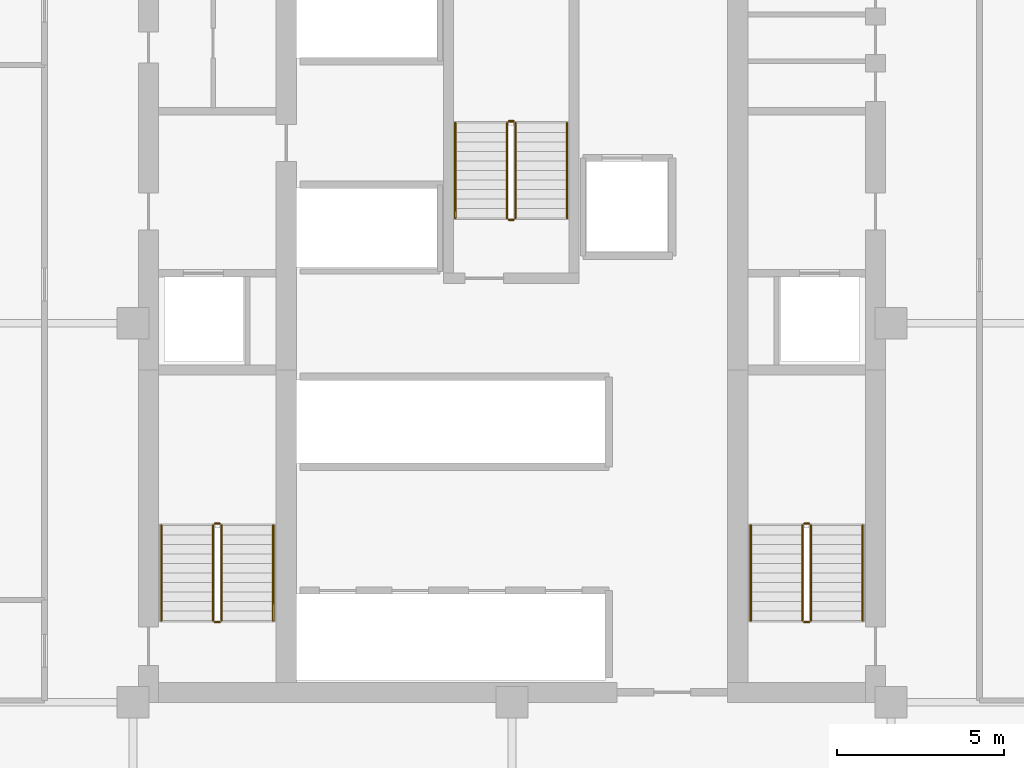
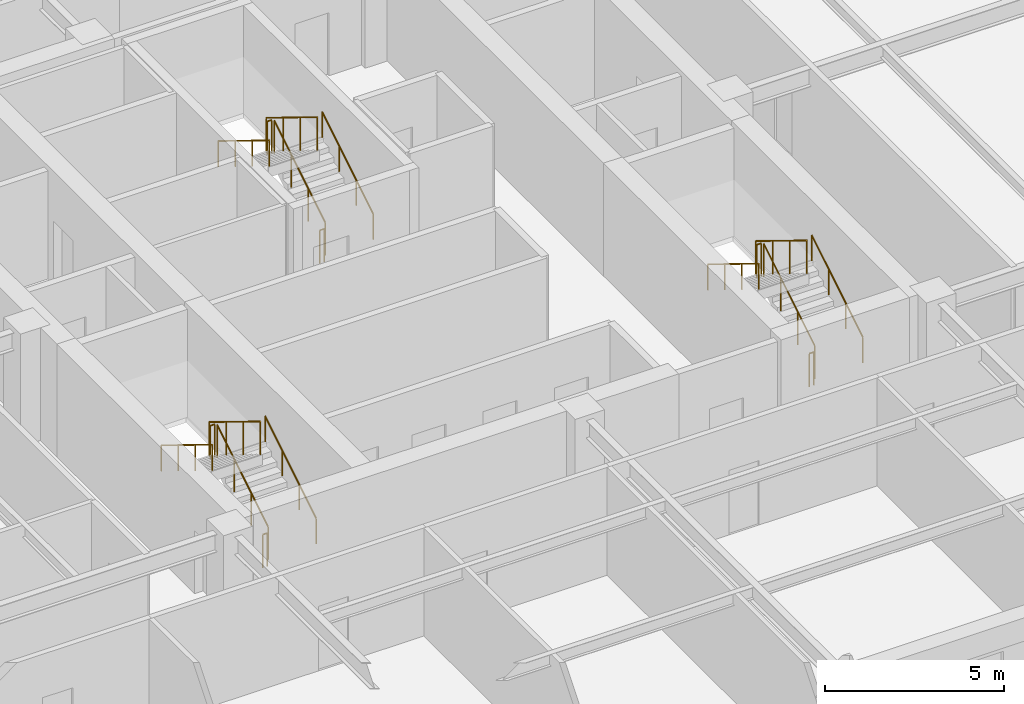
# One storey, part 6 of 6: 18 railings.
"""IFC4 building model written with IfcOpenShell, lengths in metres."""

from ifc_helpers import new_model, si_unit, direction, frame, origin, origin_2d, place, context, subcontext, project, spatial, circle, extrude, material, type_object, element, save


model = new_model("IFC4")

# Units and contexts
model_context = context("Model", 3, precision=1e-05, world=origin(), true_north=direction((0.0, 1.0)))
body_context = subcontext(model_context, "Body", "Model", "MODEL_VIEW")
ifc_project = project(units=[si_unit("LENGTHUNIT", "METRE"), si_unit("AREAUNIT", "SQUARE_METRE"), si_unit("VOLUMEUNIT", "CUBIC_METRE"), si_unit("PLANEANGLEUNIT", "RADIAN"), si_unit("MASSUNIT", "GRAM", prefix="KILO")], contexts=[model_context])

# Site, building, storey
site_placement = place(None, origin())
site = spatial("IfcSite", under=ifc_project, at=site_placement, CompositionType="ELEMENT")
building_placement = place(site_placement, origin())
building = spatial("IfcBuilding", under=site, at=building_placement, Name="Nhamokura Convention Tower", CompositionType="ELEMENT")
storey_placement = place(building_placement, frame((0.0, 0.0, 129.85009765625)))
storey = spatial("IfcBuildingStorey", under=building, at=storey_placement, Name="L31", CompositionType="ELEMENT", Elevation=129.85009765625)

# Railings
ifc_material_1 = material(Name="Anodised bronze stainless steel", Category="steel")
railing_type_1 = type_object("IfcRailingType", Name="StairWallHandrail_900", PredefinedType="HANDRAIL", material=ifc_material_1)
railing_1_placement = place(storey_placement, frame((24.85009765625, 23.10009765625, 0.1748046875)))
element("IfcRailing", 1, at=railing_1_placement, inside=storey, type_object=railing_type_1, Name="L31 ST-01 stair handrail 1", PredefinedType="HANDRAIL", context=body_context, shape_type="SweptSolid", body=[
    extrude(circle(Radius=0.02392578125, at=origin_2d()), frame((0.0, 0.0, 0.8759765625), z_axis=(0.0, 0.852159232446, 0.523282564737), x_axis=(-1.0, 0.0, 0.0)), (0.0, 0.0, 1.0), 3.34423828125),
    extrude(circle(Radius=0.02099609375, at=origin_2d()), origin(), (0.0, 0.0, 1.0), 0.851806640625),
    extrude(circle(Radius=0.02099609375, at=origin_2d()), frame((0.0, 0.949951171875, 0.583251953125)), (0.0, 0.0, 1.0), 0.851806640625),
    extrude(circle(Radius=0.02099609375, at=origin_2d()), frame((0.0, 1.89990234375, 1.166748046875)), (0.0, 0.0, 1.0), 0.851806640625),
    extrude(circle(Radius=0.02099609375, at=origin_2d()), frame((0.0, 2.849853515625, 1.75)), (0.0, 0.0, 1.0), 0.851806640625),
])
railing_2_placement = place(storey_placement, frame((21.5, 25.949951171875, 2.099853515625)))
element("IfcRailing", 2, at=railing_2_placement, inside=storey, type_object=railing_type_1, Name="L31 ST-01 stair handrail 2", PredefinedType="HANDRAIL", context=body_context, shape_type="SweptSolid", body=[
    extrude(circle(Radius=0.02392578125, at=origin_2d()), frame((0.0, 0.0, 0.8759765625), z_axis=(0.0, -0.852159232446, 0.523282564737), x_axis=(1.0, 0.0, 0.0)), (0.0, 0.0, 1.0), 3.34423828125),
    extrude(circle(Radius=0.02099609375, at=origin_2d()), origin(), (0.0, 0.0, 1.0), 0.851806640625),
    extrude(circle(Radius=0.02099609375, at=origin_2d()), frame((0.0, -0.949951171875, 0.583251953125)), (0.0, 0.0, 1.0), 0.851806640625),
    extrude(circle(Radius=0.02099609375, at=origin_2d()), frame((0.0, -1.89990234375, 1.166748046875)), (0.0, 0.0, 1.0), 0.851806640625),
    extrude(circle(Radius=0.02099609375, at=origin_2d()), frame((0.0, -2.849853515625, 1.75)), (0.0, 0.0, 1.0), 0.851806640625),
])
railing_3_placement = place(storey_placement, frame((42.5, 23.10009765625, 0.1748046875)))
element("IfcRailing", 3, at=railing_3_placement, inside=storey, type_object=railing_type_1, Name="L31 ST-02 stair handrail 1", PredefinedType="HANDRAIL", context=body_context, shape_type="SweptSolid", body=[
    extrude(circle(Radius=0.02392578125, at=origin_2d()), frame((0.0, 0.0, 0.8759765625), z_axis=(0.0, 0.852159232446, 0.523282564737), x_axis=(-1.0, 0.0, 0.0)), (0.0, 0.0, 1.0), 3.34423828125),
    extrude(circle(Radius=0.02099609375, at=origin_2d()), origin(), (0.0, 0.0, 1.0), 0.851806640625),
    extrude(circle(Radius=0.02099609375, at=origin_2d()), frame((0.0, 0.949951171875, 0.583251953125)), (0.0, 0.0, 1.0), 0.851806640625),
    extrude(circle(Radius=0.02099609375, at=origin_2d()), frame((0.0, 1.89990234375, 1.166748046875)), (0.0, 0.0, 1.0), 0.851806640625),
    extrude(circle(Radius=0.02099609375, at=origin_2d()), frame((0.0, 2.849853515625, 1.75)), (0.0, 0.0, 1.0), 0.851806640625),
])
railing_4_placement = place(storey_placement, frame((39.14990234375, 25.949951171875, 2.099853515625)))
element("IfcRailing", 4, at=railing_4_placement, inside=storey, type_object=railing_type_1, Name="L31 ST-02 stair handrail 2", PredefinedType="HANDRAIL", context=body_context, shape_type="SweptSolid", body=[
    extrude(circle(Radius=0.02392578125, at=origin_2d()), frame((0.0, 0.0, 0.8759765625), z_axis=(0.0, -0.852159232446, 0.523282564737), x_axis=(1.0, 0.0, 0.0)), (0.0, 0.0, 1.0), 3.34423828125),
    extrude(circle(Radius=0.02099609375, at=origin_2d()), origin(), (0.0, 0.0, 1.0), 0.851806640625),
    extrude(circle(Radius=0.02099609375, at=origin_2d()), frame((0.0, -0.949951171875, 0.583251953125)), (0.0, 0.0, 1.0), 0.851806640625),
    extrude(circle(Radius=0.02099609375, at=origin_2d()), frame((0.0, -1.89990234375, 1.166748046875)), (0.0, 0.0, 1.0), 0.851806640625),
    extrude(circle(Radius=0.02099609375, at=origin_2d()), frame((0.0, -2.849853515625, 1.75)), (0.0, 0.0, 1.0), 0.851806640625),
])
railing_5_placement = place(storey_placement, frame((33.64990234375, 35.14990234375, 0.1748046875)))
element("IfcRailing", 5, at=railing_5_placement, inside=storey, type_object=railing_type_1, Name="L31 ST-03 stair handrail 1", PredefinedType="HANDRAIL", context=body_context, shape_type="SweptSolid", body=[
    extrude(circle(Radius=0.02392578125, at=origin_2d()), frame((0.0, 0.0, 0.8759765625), z_axis=(0.0, 0.852179220489, 0.52325001306), x_axis=(-1.0, 0.0, 0.0)), (0.0, 0.0, 1.0), 3.344482421875),
    extrude(circle(Radius=0.02099609375, at=origin_2d()), origin(), (0.0, 0.0, 1.0), 0.851806640625),
    extrude(circle(Radius=0.02099609375, at=origin_2d()), frame((0.0, 0.949951171875, 0.583251953125)), (0.0, 0.0, 1.0), 0.851806640625),
    extrude(circle(Radius=0.02099609375, at=origin_2d()), frame((0.0, 1.900146484375, 1.166748046875)), (0.0, 0.0, 1.0), 0.851806640625),
    extrude(circle(Radius=0.02099609375, at=origin_2d()), frame((0.0, 2.85009765625, 1.75)), (0.0, 0.0, 1.0), 0.851806640625),
])
railing_6_placement = place(storey_placement, frame((30.300048828125, 38.0, 2.099853515625)))
element("IfcRailing", 6, at=railing_6_placement, inside=storey, type_object=railing_type_1, Name="L31 ST-03 stair handrail 2", PredefinedType="HANDRAIL", context=body_context, shape_type="SweptSolid", body=[
    extrude(circle(Radius=0.02392578125, at=origin_2d()), frame((0.0, 0.0, 0.8759765625), z_axis=(0.0, -0.852179220489, 0.52325001306), x_axis=(1.0, 0.0, 0.0)), (0.0, 0.0, 1.0), 3.344482421875),
    extrude(circle(Radius=0.02099609375, at=origin_2d()), origin(), (0.0, 0.0, 1.0), 0.851806640625),
    extrude(circle(Radius=0.02099609375, at=origin_2d()), frame((0.0, -0.949951171875, 0.583251953125)), (0.0, 0.0, 1.0), 0.851806640625),
    extrude(circle(Radius=0.02099609375, at=origin_2d()), frame((0.0, -1.900146484375, 1.166748046875)), (0.0, 0.0, 1.0), 0.851806640625),
    extrude(circle(Radius=0.02099609375, at=origin_2d()), frame((0.0, -2.85009765625, 1.75)), (0.0, 0.0, 1.0), 0.851806640625),
])
ifc_material_2 = material(Name="Painted tubular steel", Category="steel")
railing_type_2 = type_object("IfcRailingType", Name="StairWellGuardrail_1150", PredefinedType="GUARDRAIL", material=ifc_material_2)
railing_7_placement = place(storey_placement, frame((23.300048828125, 23.10009765625, 0.1748046875)))
element("IfcRailing", 7, at=railing_7_placement, inside=storey, type_object=railing_type_2, Name="L31 ST-01 stair guard 1", PredefinedType="GUARDRAIL", context=body_context, shape_type="SweptSolid", body=[
    extrude(circle(Radius=0.02392578125, at=origin_2d()), frame((0.0, 0.0, 1.1259765625), z_axis=(0.0, 0.852159232446, 0.523282564737), x_axis=(-1.0, 0.0, 0.0)), (0.0, 0.0, 1.0), 3.34423828125),
    extrude(circle(Radius=0.02099609375, at=origin_2d()), origin(), (0.0, 0.0, 1.0), 1.101806640625),
    extrude(circle(Radius=0.02099609375, at=origin_2d()), frame((0.0, 0.949951171875, 0.583251953125)), (0.0, 0.0, 1.0), 1.101806640625),
    extrude(circle(Radius=0.02099609375, at=origin_2d()), frame((0.0, 1.89990234375, 1.166748046875)), (0.0, 0.0, 1.0), 1.101806640625),
    extrude(circle(Radius=0.02099609375, at=origin_2d()), frame((0.0, 2.849853515625, 1.75)), (0.0, 0.0, 1.0), 1.101806640625),
])
railing_8_placement = place(storey_placement, frame((23.25, 26.0, 1.9248046875)))
element("IfcRailing", 8, at=railing_8_placement, inside=storey, type_object=railing_type_2, Name="L31 ST-01 stair guard 2", PredefinedType="GUARDRAIL", context=body_context, shape_type="SweptSolid", body=[
    extrude(circle(Radius=0.02392578125, at=origin_2d()), frame((0.0, 0.0, 1.1259765625), z_axis=(-1.0, 0.0, 0.0), x_axis=(0.0, -1.0, 0.0)), (0.0, 0.0, 1.0), 0.14990234375),
    extrude(circle(Radius=0.02099609375, at=origin_2d()), origin(), (0.0, 0.0, 1.0), 1.101806640625),
    extrude(circle(Radius=0.02099609375, at=origin_2d()), frame((-0.14990234375, 0.0, 0.0)), (0.0, 0.0, 1.0), 1.101806640625),
])
railing_9_placement = place(storey_placement, frame((23.050048828125, 25.949951171875, 2.099853515625)))
element("IfcRailing", 9, at=railing_9_placement, inside=storey, type_object=railing_type_2, Name="L31 ST-01 stair guard 3", PredefinedType="GUARDRAIL", context=body_context, shape_type="SweptSolid", body=[
    extrude(circle(Radius=0.02392578125, at=origin_2d()), frame((0.0, 0.0, 1.1259765625), z_axis=(0.0, -0.852159232446, 0.523282564737), x_axis=(1.0, 0.0, 0.0)), (0.0, 0.0, 1.0), 3.34423828125),
    extrude(circle(Radius=0.02099609375, at=origin_2d()), origin(), (0.0, 0.0, 1.0), 1.101806640625),
    extrude(circle(Radius=0.02099609375, at=origin_2d()), frame((0.0, -0.949951171875, 0.583251953125)), (0.0, 0.0, 1.0), 1.101806640625),
    extrude(circle(Radius=0.02099609375, at=origin_2d()), frame((0.0, -1.89990234375, 1.166748046875)), (0.0, 0.0, 1.0), 1.101806640625),
    extrude(circle(Radius=0.02099609375, at=origin_2d()), frame((0.0, -2.849853515625, 1.75)), (0.0, 0.0, 1.0), 1.101806640625),
])
railing_10_placement = place(storey_placement, frame((23.25, 23.050048828125, 0.0)))
element("IfcRailing", 10, at=railing_10_placement, inside=storey, type_object=railing_type_2, Name="L31 ST-01 stair guard 4", PredefinedType="GUARDRAIL", context=body_context, shape_type="SweptSolid", body=[
    extrude(circle(Radius=0.02392578125, at=origin_2d()), frame((0.0, 0.0, 1.1259765625), z_axis=(-1.0, 0.0, 0.0), x_axis=(0.0, -1.0, 0.0)), (0.0, 0.0, 1.0), 0.14990234375),
    extrude(circle(Radius=0.02099609375, at=origin_2d()), origin(), (0.0, 0.0, 1.0), 1.101806640625),
    extrude(circle(Radius=0.02099609375, at=origin_2d()), frame((-0.14990234375, 0.0, 0.0)), (0.0, 0.0, 1.0), 1.101806640625),
])
railing_11_placement = place(storey_placement, frame((40.949951171875, 23.10009765625, 0.1748046875)))
element("IfcRailing", 11, at=railing_11_placement, inside=storey, type_object=railing_type_2, Name="L31 ST-02 stair guard 1", PredefinedType="GUARDRAIL", context=body_context, shape_type="SweptSolid", body=[
    extrude(circle(Radius=0.02392578125, at=origin_2d()), frame((0.0, 0.0, 1.1259765625), z_axis=(0.0, 0.852159232446, 0.523282564737), x_axis=(-1.0, 0.0, 0.0)), (0.0, 0.0, 1.0), 3.34423828125),
    extrude(circle(Radius=0.02099609375, at=origin_2d()), origin(), (0.0, 0.0, 1.0), 1.101806640625),
    extrude(circle(Radius=0.02099609375, at=origin_2d()), frame((0.0, 0.949951171875, 0.583251953125)), (0.0, 0.0, 1.0), 1.101806640625),
    extrude(circle(Radius=0.02099609375, at=origin_2d()), frame((0.0, 1.89990234375, 1.166748046875)), (0.0, 0.0, 1.0), 1.101806640625),
    extrude(circle(Radius=0.02099609375, at=origin_2d()), frame((0.0, 2.849853515625, 1.75)), (0.0, 0.0, 1.0), 1.101806640625),
])
railing_12_placement = place(storey_placement, frame((40.89990234375, 26.0, 1.9248046875)))
element("IfcRailing", 12, at=railing_12_placement, inside=storey, type_object=railing_type_2, Name="L31 ST-02 stair guard 2", PredefinedType="GUARDRAIL", context=body_context, shape_type="SweptSolid", body=[
    extrude(circle(Radius=0.02392578125, at=origin_2d()), frame((0.0, 0.0, 1.1259765625), z_axis=(-1.0, 0.0, 0.0), x_axis=(0.0, -1.0, 0.0)), (0.0, 0.0, 1.0), 0.14990234375),
    extrude(circle(Radius=0.02099609375, at=origin_2d()), origin(), (0.0, 0.0, 1.0), 1.101806640625),
    extrude(circle(Radius=0.02099609375, at=origin_2d()), frame((-0.14990234375, 0.0, 0.0)), (0.0, 0.0, 1.0), 1.101806640625),
])
railing_13_placement = place(storey_placement, frame((40.699951171875, 25.949951171875, 2.099853515625)))
element("IfcRailing", 13, at=railing_13_placement, inside=storey, type_object=railing_type_2, Name="L31 ST-02 stair guard 3", PredefinedType="GUARDRAIL", context=body_context, shape_type="SweptSolid", body=[
    extrude(circle(Radius=0.02392578125, at=origin_2d()), frame((0.0, 0.0, 1.1259765625), z_axis=(0.0, -0.852159232446, 0.523282564737), x_axis=(1.0, 0.0, 0.0)), (0.0, 0.0, 1.0), 3.34423828125),
    extrude(circle(Radius=0.02099609375, at=origin_2d()), origin(), (0.0, 0.0, 1.0), 1.101806640625),
    extrude(circle(Radius=0.02099609375, at=origin_2d()), frame((0.0, -0.949951171875, 0.583251953125)), (0.0, 0.0, 1.0), 1.101806640625),
    extrude(circle(Radius=0.02099609375, at=origin_2d()), frame((0.0, -1.89990234375, 1.166748046875)), (0.0, 0.0, 1.0), 1.101806640625),
    extrude(circle(Radius=0.02099609375, at=origin_2d()), frame((0.0, -2.849853515625, 1.75)), (0.0, 0.0, 1.0), 1.101806640625),
])
railing_14_placement = place(storey_placement, frame((40.89990234375, 23.050048828125, 0.0)))
element("IfcRailing", 14, at=railing_14_placement, inside=storey, type_object=railing_type_2, Name="L31 ST-02 stair guard 4", PredefinedType="GUARDRAIL", context=body_context, shape_type="SweptSolid", body=[
    extrude(circle(Radius=0.02392578125, at=origin_2d()), frame((0.0, 0.0, 1.1259765625), z_axis=(-1.0, 0.0, 0.0), x_axis=(0.0, -1.0, 0.0)), (0.0, 0.0, 1.0), 0.14990234375),
    extrude(circle(Radius=0.02099609375, at=origin_2d()), origin(), (0.0, 0.0, 1.0), 1.101806640625),
    extrude(circle(Radius=0.02099609375, at=origin_2d()), frame((-0.14990234375, 0.0, 0.0)), (0.0, 0.0, 1.0), 1.101806640625),
])
railing_15_placement = place(storey_placement, frame((32.10009765625, 35.14990234375, 0.1748046875)))
element("IfcRailing", 15, at=railing_15_placement, inside=storey, type_object=railing_type_2, Name="L31 ST-03 stair guard 1", PredefinedType="GUARDRAIL", context=body_context, shape_type="SweptSolid", body=[
    extrude(circle(Radius=0.02392578125, at=origin_2d()), frame((0.0, 0.0, 1.1259765625), z_axis=(0.0, 0.852179220489, 0.52325001306), x_axis=(-1.0, 0.0, 0.0)), (0.0, 0.0, 1.0), 3.344482421875),
    extrude(circle(Radius=0.02099609375, at=origin_2d()), origin(), (0.0, 0.0, 1.0), 1.101806640625),
    extrude(circle(Radius=0.02099609375, at=origin_2d()), frame((0.0, 0.949951171875, 0.583251953125)), (0.0, 0.0, 1.0), 1.101806640625),
    extrude(circle(Radius=0.02099609375, at=origin_2d()), frame((0.0, 1.900146484375, 1.166748046875)), (0.0, 0.0, 1.0), 1.101806640625),
    extrude(circle(Radius=0.02099609375, at=origin_2d()), frame((0.0, 2.85009765625, 1.75)), (0.0, 0.0, 1.0), 1.101806640625),
])
railing_16_placement = place(storey_placement, frame((32.050048828125, 38.050048828125, 1.9248046875)))
element("IfcRailing", 16, at=railing_16_placement, inside=storey, type_object=railing_type_2, Name="L31 ST-03 stair guard 2", PredefinedType="GUARDRAIL", context=body_context, shape_type="SweptSolid", body=[
    extrude(circle(Radius=0.02392578125, at=origin_2d()), frame((0.0, 0.0, 1.1259765625), z_axis=(-1.0, 0.0, 0.0), x_axis=(0.0, -1.0, 0.0)), (0.0, 0.0, 1.0), 0.150146484375),
    extrude(circle(Radius=0.02099609375, at=origin_2d()), origin(), (0.0, 0.0, 1.0), 1.101806640625),
    extrude(circle(Radius=0.02099609375, at=origin_2d()), frame((-0.150146484375, 0.0, 0.0)), (0.0, 0.0, 1.0), 1.101806640625),
])
railing_17_placement = place(storey_placement, frame((31.85009765625, 38.0, 2.099853515625)))
element("IfcRailing", 17, at=railing_17_placement, inside=storey, type_object=railing_type_2, Name="L31 ST-03 stair guard 3", PredefinedType="GUARDRAIL", context=body_context, shape_type="SweptSolid", body=[
    extrude(circle(Radius=0.02392578125, at=origin_2d()), frame((0.0, 0.0, 1.1259765625), z_axis=(0.0, -0.852179220489, 0.52325001306), x_axis=(1.0, 0.0, 0.0)), (0.0, 0.0, 1.0), 3.344482421875),
    extrude(circle(Radius=0.02099609375, at=origin_2d()), origin(), (0.0, 0.0, 1.0), 1.101806640625),
    extrude(circle(Radius=0.02099609375, at=origin_2d()), frame((0.0, -0.949951171875, 0.583251953125)), (0.0, 0.0, 1.0), 1.101806640625),
    extrude(circle(Radius=0.02099609375, at=origin_2d()), frame((0.0, -1.900146484375, 1.166748046875)), (0.0, 0.0, 1.0), 1.101806640625),
    extrude(circle(Radius=0.02099609375, at=origin_2d()), frame((0.0, -2.85009765625, 1.75)), (0.0, 0.0, 1.0), 1.101806640625),
])
railing_18_placement = place(storey_placement, frame((32.050048828125, 35.10009765625, 0.0)))
element("IfcRailing", 18, at=railing_18_placement, inside=storey, type_object=railing_type_2, Name="L31 ST-03 stair guard 4", PredefinedType="GUARDRAIL", context=body_context, shape_type="SweptSolid", body=[
    extrude(circle(Radius=0.02392578125, at=origin_2d()), frame((0.0, 0.0, 1.1259765625), z_axis=(-1.0, 0.0, 0.0), x_axis=(0.0, -1.0, 0.0)), (0.0, 0.0, 1.0), 0.150146484375),
    extrude(circle(Radius=0.02099609375, at=origin_2d()), origin(), (0.0, 0.0, 1.0), 1.101806640625),
    extrude(circle(Radius=0.02099609375, at=origin_2d()), frame((-0.150146484375, 0.0, 0.0)), (0.0, 0.0, 1.0), 1.101806640625),
])

save(model, "model.ifc")
